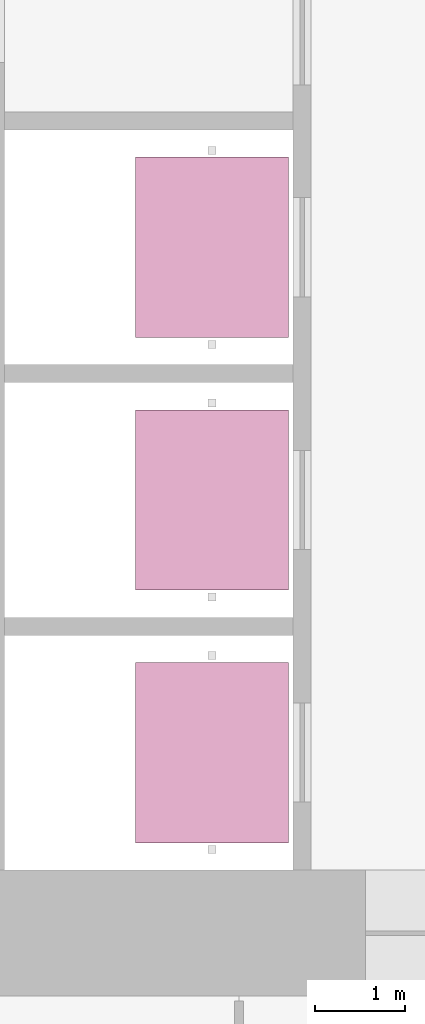
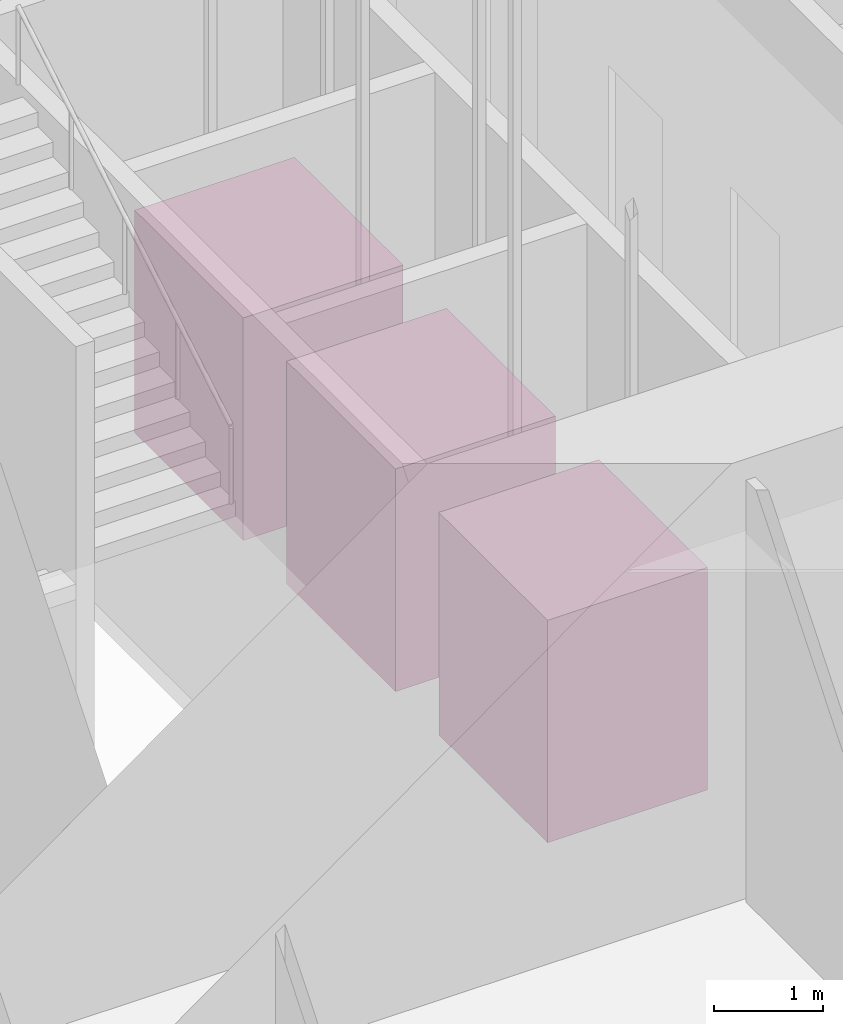
# One storey, part 17 of 17: 3 transport elements.
"""IFC4 building model written with IfcOpenShell, lengths in metres."""

from ifc_helpers import new_model, si_unit, direction, frame, origin, origin_2d, place, context, subcontext, project, spatial, rectangle, extrude, material, type_object, element, save


model = new_model("IFC4")

# Units and contexts
model_context = context("Model", 3, precision=1e-05, world=origin(), true_north=direction((0.0, 1.0)))
body_context = subcontext(model_context, "Body", "Model", "MODEL_VIEW")
ifc_project = project(units=[si_unit("LENGTHUNIT", "METRE"), si_unit("AREAUNIT", "SQUARE_METRE"), si_unit("VOLUMEUNIT", "CUBIC_METRE"), si_unit("PLANEANGLEUNIT", "RADIAN"), si_unit("MASSUNIT", "GRAM", prefix="KILO")], contexts=[model_context])

# Site, building, storey
site_placement = place(None, origin())
site = spatial("IfcSite", under=ifc_project, at=site_placement, CompositionType="ELEMENT")
building_placement = place(site_placement, origin())
building = spatial("IfcBuilding", under=site, at=building_placement, Name="Svetlomir Tower", CompositionType="ELEMENT")
storey_placement = place(building_placement, frame((0.0, 0.0, 165.5)))
storey = spatial("IfcBuildingStorey", under=building, at=storey_placement, Name="L39", CompositionType="ELEMENT", Elevation=165.5)

# Transport elements
ifc_material = material(Name="Steel lift car", Category="steel")
transport_element_type = type_object("IfcTransportElementType", Name="LIFT LOCAL", PredefinedType="ELEVATOR", material=ifc_material)
for number, where, z_axis, x_axis, name in (
    (1, (18.300048828125, 13.89990234375, 0.0), (0.0, 0.0, 1.0), (1.0, 0.0, 0.0), "Lift LC1"),
    (2, (18.300048828125, 16.699951171875, 0.0), (0.0, 0.0, 1.0), (1.0, 0.0, 0.0), "Lift LC2"),
    (3, (18.300048828125, 19.5, 0.0), (0.0, 0.0, 1.0), (1.0, 0.0, 0.0), "Lift LC3"),
):
    element("IfcTransportElement", number, at=place(storey_placement, frame(where, z_axis=z_axis, x_axis=x_axis)), inside=storey, type_object=transport_element_type, Name=name, PredefinedType="ELEVATOR", context=body_context, shape_type="SweptSolid", body=[
        extrude(rectangle(XDim=1.699951171875, YDim=2.0, at=origin_2d()), origin(), (0.0, 0.0, 1.0), 2.5),
    ])

save(model, "model.ifc")
